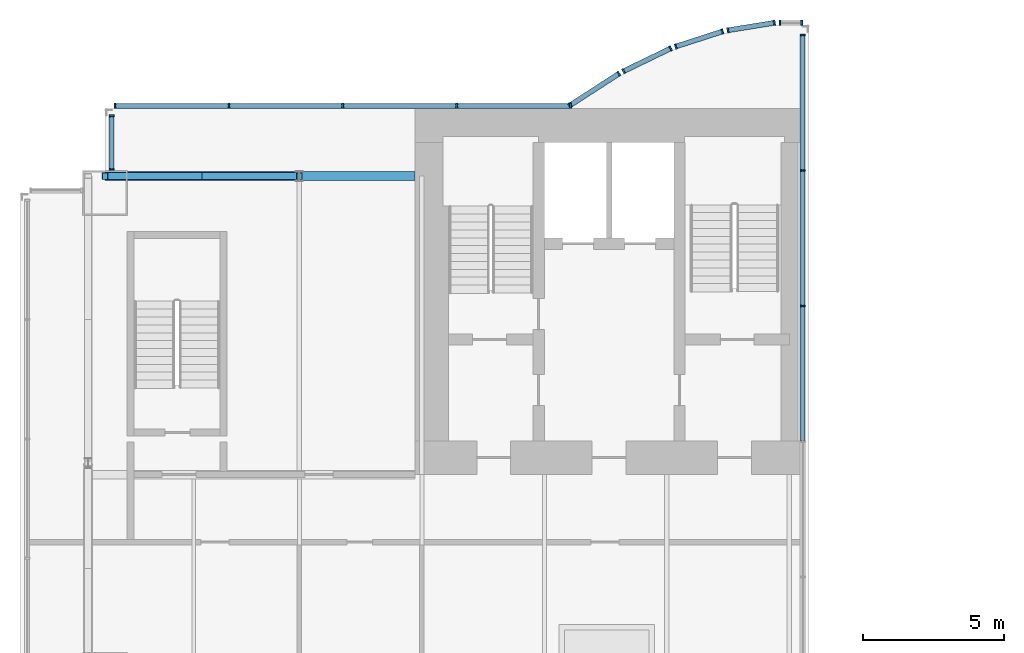
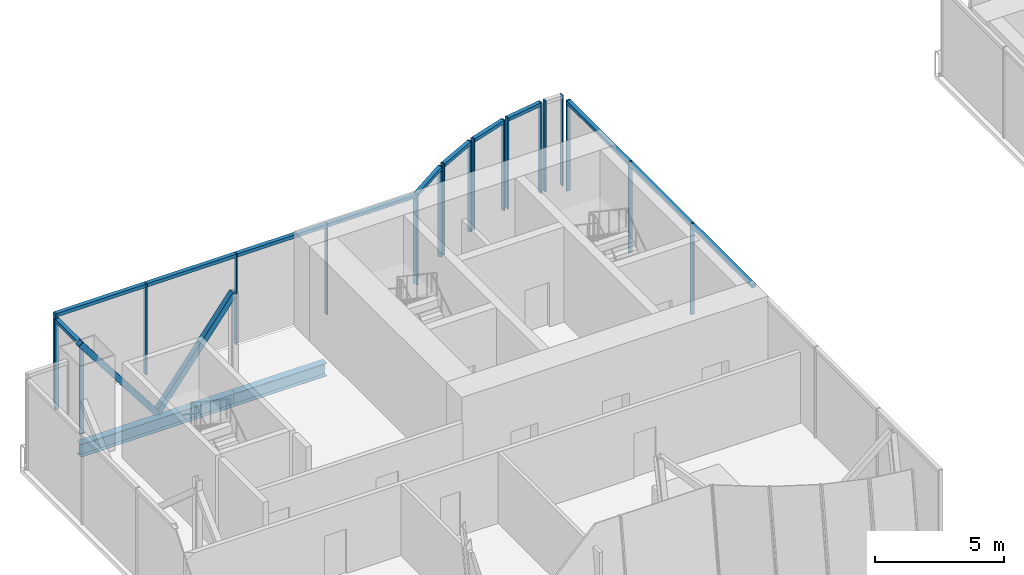
# One storey, part 4 of 14: 34 members, 2 beams, 8 elements without a shape of their own.
"""IFC4 building model written with IfcOpenShell, lengths in metres."""

from ifc_helpers import new_model, si_unit, direction, frame, origin, origin_2d, place, context, subcontext, project, spatial, rectangle, hollow_rectangle, i_section, extrude, material, material_profile, profile_set, type_object, element, aggregate, save


model = new_model("IFC4")

# Units and contexts
model_context = context("Model", 3, precision=1e-05, world=origin(), true_north=direction((0.0, 1.0)))
body_context = subcontext(model_context, "Body", "Model", "MODEL_VIEW")
ifc_project = project(units=[si_unit("LENGTHUNIT", "METRE"), si_unit("AREAUNIT", "SQUARE_METRE"), si_unit("VOLUMEUNIT", "CUBIC_METRE"), si_unit("PLANEANGLEUNIT", "RADIAN"), si_unit("MASSUNIT", "GRAM", prefix="KILO")], contexts=[model_context])

# Site, building, storey
site_placement = place(None, origin())
site = spatial("IfcSite", under=ifc_project, at=site_placement, CompositionType="ELEMENT")
building_placement = place(site_placement, origin())
building = spatial("IfcBuilding", under=site, at=building_placement, Name="Bicima Exchange Tower", CompositionType="ELEMENT")
storey_placement = place(building_placement, frame((0.0, 0.0, 352.39990234375)))
storey = spatial("IfcBuildingStorey", under=building, at=storey_placement, Name="L79", CompositionType="ELEMENT", Elevation=352.39990234375)

# Curtain wall, members
ifc_material_1 = material(Name="Anodised bronze aluminium", Category="aluminium")
curtain_wall_type = type_object("IfcCurtainWallType", Name="Crown glass wall", PredefinedType="NOTDEFINED", material=ifc_material_1)
curtain_wall_1_placement = place(storey_placement, origin())
curtain_wall_1 = element("IfcCurtainWall", 1, at=curtain_wall_1_placement, inside=storey, type_object=curtain_wall_type, Name="Crown glass wall L79 run 2", PredefinedType="NOTDEFINED")
ifc_material_profile_1 = material_profile(ifc_material_1, rectangle(XDim=0.179931640625, YDim=0.06005859375, at=origin_2d()))
ifc_profile_set_1 = profile_set([ifc_material_profile_1], Name="Anodised bronze aluminium")
member_type_1 = type_object("IfcMemberType", Name="Crown glass wall mullion 60 x 180", PredefinedType="MULLION", material=ifc_profile_set_1)
member_1_placement = place(storey_placement, frame((-8.22998046875, -7.0107421875, 0.0), z_axis=(0.0, 0.0, 1.0), x_axis=(-1.0, 0.0, 0.0)))
member_1 = element("IfcMember", 2, at=member_1_placement, type_object=member_type_1, Name="Crown glass wall mullion 5", PredefinedType="MULLION", context=body_context, shape_type="SweptSolid", body=[
    extrude(rectangle(XDim=0.179931640625, YDim=0.06005859375, at=origin_2d()), origin(), (0.0, 0.0, 1.0), 4.300048828125),
])
member_2_placement = place(storey_placement, frame((-8.22998046875, -2.198974609375, 0.0), z_axis=(0.0, 0.0, 1.0), x_axis=(-1.0, 0.0, 0.0)))
member_2 = element("IfcMember", 3, at=member_2_placement, type_object=member_type_1, Name="Crown glass wall mullion 6", PredefinedType="MULLION", context=body_context, shape_type="SweptSolid", body=[
    extrude(rectangle(XDim=0.179931640625, YDim=0.06005859375, at=origin_2d()), origin(), (0.0, 0.0, 1.0), 4.300048828125),
])
member_3_placement = place(storey_placement, frame((-8.22998046875, 2.613037109375, 0.0), z_axis=(0.0, 0.0, 1.0), x_axis=(-1.0, 0.0, 0.0)))
member_3 = element("IfcMember", 4, at=member_3_placement, type_object=member_type_1, Name="Crown glass wall mullion 7", PredefinedType="MULLION", context=body_context, shape_type="SweptSolid", body=[
    extrude(rectangle(XDim=0.179931640625, YDim=0.06005859375, at=origin_2d()), origin(), (0.0, 0.0, 1.0), 4.300048828125),
])

curtain_wall_2_placement = place(storey_placement, origin())
curtain_wall_2 = element("IfcCurtainWall", 5, at=curtain_wall_2_placement, inside=storey, type_object=curtain_wall_type, Name="Crown glass wall L79 run 3", PredefinedType="NOTDEFINED")
member_4_placement = place(storey_placement, frame((-8.260009765625, 3.052978515625, 0.0), z_axis=(0.0, 0.0, 1.0), x_axis=(0.0, -1.0, 0.0)))
member_4 = element("IfcMember", 6, at=member_4_placement, type_object=member_type_1, Name="Crown glass wall mullion 1", PredefinedType="MULLION", context=body_context, shape_type="SweptSolid", body=[
    extrude(rectangle(XDim=0.179931640625, YDim=0.06005859375, at=origin_2d()), origin(), (0.0, 0.0, 1.0), 4.300048828125),
])
member_5_placement = place(storey_placement, frame((-9.0283203125, 3.052978515625, 0.0), z_axis=(0.0, 0.0, 1.0), x_axis=(0.0, -1.0, 0.0)))
member_5 = element("IfcMember", 7, at=member_5_placement, type_object=member_type_1, Name="Crown glass wall mullion 2", PredefinedType="MULLION", context=body_context, shape_type="SweptSolid", body=[
    extrude(rectangle(XDim=0.179931640625, YDim=0.06005859375, at=origin_2d()), origin(), (0.0, 0.0, 1.0), 4.300048828125),
])
aggregate(curtain_wall_2, [member_4, member_5])

curtain_wall_3_placement = place(storey_placement, origin())
curtain_wall_3 = element("IfcCurtainWall", 8, at=curtain_wall_3_placement, inside=storey, type_object=curtain_wall_type, Name="Crown glass wall L79 run 4", PredefinedType="NOTDEFINED")
member_6_placement = place(storey_placement, frame((-9.22900390625, 3.044189453125, 0.0), z_axis=(0.0, 0.0, 1.0), x_axis=(0.159550386184, -0.987189786347, 0.0)))
member_6 = element("IfcMember", 9, at=member_6_placement, type_object=member_type_1, Name="Crown glass wall mullion 1", PredefinedType="MULLION", context=body_context, shape_type="SweptSolid", body=[
    extrude(rectangle(XDim=0.179931640625, YDim=0.06005859375, at=origin_2d()), origin(), (0.0, 0.0, 1.0), 4.300048828125),
])
member_7_placement = place(storey_placement, frame((-10.878662109375, 2.777587890625, 0.0), z_axis=(0.0, 0.0, 1.0), x_axis=(0.159550386184, -0.987189786347, 0.0)))
member_7 = element("IfcMember", 10, at=member_7_placement, type_object=member_type_1, Name="Crown glass wall mullion 2", PredefinedType="MULLION", context=body_context, shape_type="SweptSolid", body=[
    extrude(rectangle(XDim=0.179931640625, YDim=0.06005859375, at=origin_2d()), origin(), (0.0, 0.0, 1.0), 4.300048828125),
])

curtain_wall_4_placement = place(storey_placement, origin())
curtain_wall_4 = element("IfcCurtainWall", 11, at=curtain_wall_4_placement, inside=storey, type_object=curtain_wall_type, Name="Crown glass wall L79 run 5", PredefinedType="NOTDEFINED")
member_8_placement = place(storey_placement, frame((-11.072998046875, 2.73779296875, 0.0), z_axis=(0.0, 0.0, 1.0), x_axis=(0.307572519808, -0.951524642381, 0.0)))
member_8 = element("IfcMember", 12, at=member_8_placement, type_object=member_type_1, Name="Crown glass wall mullion 1", PredefinedType="MULLION", context=body_context, shape_type="SweptSolid", body=[
    extrude(rectangle(XDim=0.179931640625, YDim=0.06005859375, at=origin_2d()), origin(), (0.0, 0.0, 1.0), 4.300048828125),
])
member_9_placement = place(storey_placement, frame((-12.731689453125, 2.20166015625, 0.0), z_axis=(0.0, 0.0, 1.0), x_axis=(0.307572519808, -0.951524642381, 0.0)))
member_9 = element("IfcMember", 13, at=member_9_placement, type_object=member_type_1, Name="Crown glass wall mullion 2", PredefinedType="MULLION", context=body_context, shape_type="SweptSolid", body=[
    extrude(rectangle(XDim=0.179931640625, YDim=0.06005859375, at=origin_2d()), origin(), (0.0, 0.0, 1.0), 4.300048828125),
])

curtain_wall_5_placement = place(storey_placement, origin())
curtain_wall_5 = element("IfcCurtainWall", 14, at=curtain_wall_5_placement, inside=storey, type_object=curtain_wall_type, Name="Crown glass wall L79 run 6", PredefinedType="NOTDEFINED")
member_10_placement = place(storey_placement, frame((-12.913818359375, 2.135009765625, 0.0), z_axis=(0.0, 0.0, 1.0), x_axis=(0.436264762204, -0.899818346812, 0.0)))
member_10 = element("IfcMember", 15, at=member_10_placement, type_object=member_type_1, Name="Crown glass wall mullion 1", PredefinedType="MULLION", context=body_context, shape_type="SweptSolid", body=[
    extrude(rectangle(XDim=0.179931640625, YDim=0.06005859375, at=origin_2d()), origin(), (0.0, 0.0, 1.0), 4.300048828125),
])
member_11_placement = place(storey_placement, frame((-14.585205078125, 1.32470703125, 0.0), z_axis=(0.0, 0.0, 1.0), x_axis=(0.436264762204, -0.899818346812, 0.0)))
member_11 = element("IfcMember", 16, at=member_11_placement, type_object=member_type_1, Name="Crown glass wall mullion 2", PredefinedType="MULLION", context=body_context, shape_type="SweptSolid", body=[
    extrude(rectangle(XDim=0.179931640625, YDim=0.06005859375, at=origin_2d()), origin(), (0.0, 0.0, 1.0), 4.300048828125),
])

curtain_wall_6_placement = place(storey_placement, origin())
curtain_wall_6 = element("IfcCurtainWall", 17, at=curtain_wall_6_placement, inside=storey, type_object=curtain_wall_type, Name="Crown glass wall L79 run 7", PredefinedType="NOTDEFINED")
member_12_placement = place(storey_placement, frame((-14.752685546875, 1.23681640625, 0.0), z_axis=(0.0, 0.0, 1.0), x_axis=(0.542910648791, -0.839790466384, 0.0)))
member_12 = element("IfcMember", 18, at=member_12_placement, type_object=member_type_1, Name="Crown glass wall mullion 1", PredefinedType="MULLION", context=body_context, shape_type="SweptSolid", body=[
    extrude(rectangle(XDim=0.179931640625, YDim=0.06005859375, at=origin_2d()), origin(), (0.0, 0.0, 1.0), 4.300048828125),
])
member_13_placement = place(storey_placement, frame((-16.505126953125, 0.10400390625, 0.0), z_axis=(0.0, 0.0, 1.0), x_axis=(0.542910648791, -0.839790466384, 0.0)))
member_13 = element("IfcMember", 19, at=member_13_placement, type_object=member_type_1, Name="Crown glass wall mullion 2", PredefinedType="MULLION", context=body_context, shape_type="SweptSolid", body=[
    extrude(rectangle(XDim=0.179931640625, YDim=0.06005859375, at=origin_2d()), origin(), (0.0, 0.0, 1.0), 4.300048828125),
])

curtain_wall_7_placement = place(storey_placement, origin())
curtain_wall_7 = element("IfcCurtainWall", 20, at=curtain_wall_7_placement, inside=storey, type_object=curtain_wall_type, Name="Crown glass wall L79 run 8", PredefinedType="NOTDEFINED")
member_14_placement = place(storey_placement, frame((-16.462158203125, 0.090087890625, 0.0), z_axis=(0.0, 0.0, 1.0), x_axis=(0.0, -1.0, 0.0)))
member_14 = element("IfcMember", 21, at=member_14_placement, type_object=member_type_1, Name="Crown glass wall mullion 1", PredefinedType="MULLION", context=body_context, shape_type="SweptSolid", body=[
    extrude(rectangle(XDim=0.179931640625, YDim=0.06005859375, at=origin_2d()), origin(), (0.0, 0.0, 1.0), 4.300048828125),
])
member_15_placement = place(storey_placement, frame((-20.509033203125, 0.090087890625, 0.0), z_axis=(0.0, 0.0, 1.0), x_axis=(0.0, -1.0, 0.0)))
member_15 = element("IfcMember", 22, at=member_15_placement, type_object=member_type_1, Name="Crown glass wall mullion 2", PredefinedType="MULLION", context=body_context, shape_type="SweptSolid", body=[
    extrude(rectangle(XDim=0.179931640625, YDim=0.06005859375, at=origin_2d()), origin(), (0.0, 0.0, 1.0), 4.300048828125),
])
member_16_placement = place(storey_placement, frame((-24.55615234375, 0.090087890625, 0.0), z_axis=(0.0, 0.0, 1.0), x_axis=(0.0, -1.0, 0.0)))
member_16 = element("IfcMember", 23, at=member_16_placement, type_object=member_type_1, Name="Crown glass wall mullion 3", PredefinedType="MULLION", context=body_context, shape_type="SweptSolid", body=[
    extrude(rectangle(XDim=0.179931640625, YDim=0.06005859375, at=origin_2d()), origin(), (0.0, 0.0, 1.0), 4.300048828125),
])
member_17_placement = place(storey_placement, frame((-28.60302734375, 0.090087890625, 0.0), z_axis=(0.0, 0.0, 1.0), x_axis=(0.0, -1.0, 0.0)))
member_17 = element("IfcMember", 24, at=member_17_placement, type_object=member_type_1, Name="Crown glass wall mullion 4", PredefinedType="MULLION", context=body_context, shape_type="SweptSolid", body=[
    extrude(rectangle(XDim=0.179931640625, YDim=0.06005859375, at=origin_2d()), origin(), (0.0, 0.0, 1.0), 4.300048828125),
])
member_18_placement = place(storey_placement, frame((-32.64990234375, 0.090087890625, 0.0), z_axis=(0.0, 0.0, 1.0), x_axis=(0.0, -1.0, 0.0)))
member_18 = element("IfcMember", 25, at=member_18_placement, type_object=member_type_1, Name="Crown glass wall mullion 5", PredefinedType="MULLION", context=body_context, shape_type="SweptSolid", body=[
    extrude(rectangle(XDim=0.179931640625, YDim=0.06005859375, at=origin_2d()), origin(), (0.0, 0.0, 1.0), 4.300048828125),
])

curtain_wall_8_placement = place(storey_placement, origin())
curtain_wall_8 = element("IfcCurtainWall", 26, at=curtain_wall_8_placement, inside=storey, type_object=curtain_wall_type, Name="Crown glass wall L79 run 9", PredefinedType="NOTDEFINED")
member_19_placement = place(storey_placement, frame((-32.77001953125, -0.260009765625, 0.0), z_axis=(0.0, 0.0, 1.0), x_axis=(1.0, 0.0, 0.0)))
member_19 = element("IfcMember", 27, at=member_19_placement, type_object=member_type_1, Name="Crown glass wall mullion 1", PredefinedType="MULLION", context=body_context, shape_type="SweptSolid", body=[
    extrude(rectangle(XDim=0.179931640625, YDim=0.06005859375, at=origin_2d()), origin(), (0.0, 0.0, 1.0), 4.300048828125),
])
member_20_placement = place(storey_placement, frame((-32.77001953125, -2.169921875, 0.0), z_axis=(0.0, 0.0, 1.0), x_axis=(1.0, 0.0, 0.0)))
member_20 = element("IfcMember", 28, at=member_20_placement, type_object=member_type_1, Name="Crown glass wall mullion 2", PredefinedType="MULLION", context=body_context, shape_type="SweptSolid", body=[
    extrude(rectangle(XDim=0.179931640625, YDim=0.06005859375, at=origin_2d()), origin(), (0.0, 0.0, 1.0), 4.300048828125),
])

# Member
ifc_material_profile_2 = material_profile(ifc_material_1, rectangle(XDim=0.179931640625, YDim=0.159912109375, at=origin_2d()))
ifc_profile_set_2 = profile_set([ifc_material_profile_2], Name="Anodised bronze aluminium")
member_type_2 = type_object("IfcMemberType", Name="Crown glass wall transom 160 x 180", PredefinedType="USERDEFINED", material=ifc_profile_set_2)
member_21_placement = place(storey_placement, frame((-8.22998046875, -11.792724609375, 4.22021484375), z_axis=(0.0, 1.0, 0.0), x_axis=(-1.0, 0.0, 0.0)))
member_21 = element("IfcMember", 29, at=member_21_placement, type_object=member_type_2, Name="Crown glass wall transom 4.1", ObjectType="TRANSOM", PredefinedType="USERDEFINED", context=body_context, shape_type="SweptSolid", body=[
    extrude(rectangle(XDim=0.179931640625, YDim=0.159912109375, at=origin_2d()), origin(), (0.0, 0.0, 1.0), 4.751953125),
])

member_22_placement = place(storey_placement, frame((-8.22998046875, -6.980712890625, 4.22021484375), z_axis=(0.0, 1.0, 0.0), x_axis=(-1.0, 0.0, 0.0)))
member_22 = element("IfcMember", 30, at=member_22_placement, type_object=member_type_2, Name="Crown glass wall transom 5.1", ObjectType="TRANSOM", PredefinedType="USERDEFINED", context=body_context, shape_type="SweptSolid", body=[
    extrude(rectangle(XDim=0.179931640625, YDim=0.159912109375, at=origin_2d()), origin(), (0.0, 0.0, 1.0), 4.751708984375),
])

member_23_placement = place(storey_placement, frame((-8.22998046875, -2.1689453125, 4.22021484375), z_axis=(0.0, 1.0, 0.0), x_axis=(-1.0, 0.0, 0.0)))
member_23 = element("IfcMember", 31, at=member_23_placement, type_object=member_type_2, Name="Crown glass wall transom 6.1", ObjectType="TRANSOM", PredefinedType="USERDEFINED", context=body_context, shape_type="SweptSolid", body=[
    extrude(rectangle(XDim=0.179931640625, YDim=0.159912109375, at=origin_2d()), origin(), (0.0, 0.0, 1.0), 4.751953125),
])

aggregate(curtain_wall_1, [member_1, member_2, member_3, member_21, member_22, member_23])

member_24_placement = place(storey_placement, frame((-9.258544921875, 3.039306640625, 4.22021484375), z_axis=(-0.987184958941, -0.159580252036, 0.0), x_axis=(0.159580252036, -0.987184958941, 0.0)))
member_24 = element("IfcMember", 32, at=member_24_placement, type_object=member_type_2, Name="Crown glass wall transom 1.1", ObjectType="TRANSOM", PredefinedType="USERDEFINED", context=body_context, shape_type="SweptSolid", body=[
    extrude(rectangle(XDim=0.179931640625, YDim=0.159912109375, at=origin_2d()), origin(), (0.0, 0.0, 1.0), 1.611083984375),
])

aggregate(curtain_wall_3, [member_6, member_7, member_24])

member_25_placement = place(storey_placement, frame((-11.1015625, 2.728515625, 4.22021484375), z_axis=(-0.951488244605, -0.307685099376, 0.0), x_axis=(0.307685099376, -0.951488244605, 0.0)))
member_25 = element("IfcMember", 33, at=member_25_placement, type_object=member_type_2, Name="Crown glass wall transom 1.1", ObjectType="TRANSOM", PredefinedType="USERDEFINED", context=body_context, shape_type="SweptSolid", body=[
    extrude(rectangle(XDim=0.179931640625, YDim=0.159912109375, at=origin_2d()), origin(), (0.0, 0.0, 1.0), 1.682861328125),
])

aggregate(curtain_wall_4, [member_8, member_9, member_25])

member_26_placement = place(storey_placement, frame((-12.94091796875, 2.121826171875, 4.22021484375), z_axis=(-0.899873884154, -0.436150195022, 0.0), x_axis=(0.436150195022, -0.899873884154, 0.0)))
member_26 = element("IfcMember", 34, at=member_26_placement, type_object=member_type_2, Name="Crown glass wall transom 1.1", ObjectType="TRANSOM", PredefinedType="USERDEFINED", context=body_context, shape_type="SweptSolid", body=[
    extrude(rectangle(XDim=0.179931640625, YDim=0.159912109375, at=origin_2d()), origin(), (0.0, 0.0, 1.0), 1.79736328125),
])

aggregate(curtain_wall_5, [member_10, member_11, member_26])

member_27_placement = place(storey_placement, frame((-14.77783203125, 1.220703125, 4.22021484375), z_axis=(-0.839751073679, -0.54297157776, 0.0), x_axis=(0.54297157776, -0.839751073679, 0.0)))
member_27 = element("IfcMember", 35, at=member_27_placement, type_object=member_type_2, Name="Crown glass wall transom 1.1", ObjectType="TRANSOM", PredefinedType="USERDEFINED", context=body_context, shape_type="SweptSolid", body=[
    extrude(rectangle(XDim=0.179931640625, YDim=0.159912109375, at=origin_2d()), origin(), (0.0, 0.0, 1.0), 2.02685546875),
])

aggregate(curtain_wall_6, [member_12, member_13, member_27])

member_28_placement = place(storey_placement, frame((-16.4921875, 0.090087890625, 4.22021484375), z_axis=(-1.0, 0.0, 0.0), x_axis=(0.0, -1.0, 0.0)))
member_28 = element("IfcMember", 36, at=member_28_placement, type_object=member_type_2, Name="Crown glass wall transom 1.1", ObjectType="TRANSOM", PredefinedType="USERDEFINED", context=body_context, shape_type="SweptSolid", body=[
    extrude(rectangle(XDim=0.179931640625, YDim=0.159912109375, at=origin_2d()), origin(), (0.0, 0.0, 1.0), 3.98681640625),
])

member_29_placement = place(storey_placement, frame((-20.5390625, 0.090087890625, 4.22021484375), z_axis=(-1.0, 0.0, 0.0), x_axis=(0.0, -1.0, 0.0)))
member_29 = element("IfcMember", 37, at=member_29_placement, type_object=member_type_2, Name="Crown glass wall transom 2.1", ObjectType="TRANSOM", PredefinedType="USERDEFINED", context=body_context, shape_type="SweptSolid", body=[
    extrude(rectangle(XDim=0.179931640625, YDim=0.159912109375, at=origin_2d()), origin(), (0.0, 0.0, 1.0), 3.987060546875),
])

member_30_placement = place(storey_placement, frame((-24.586181640625, 0.090087890625, 4.22021484375), z_axis=(-1.0, 0.0, 0.0), x_axis=(0.0, -1.0, 0.0)))
member_30 = element("IfcMember", 38, at=member_30_placement, type_object=member_type_2, Name="Crown glass wall transom 3.1", ObjectType="TRANSOM", PredefinedType="USERDEFINED", context=body_context, shape_type="SweptSolid", body=[
    extrude(rectangle(XDim=0.179931640625, YDim=0.159912109375, at=origin_2d()), origin(), (0.0, 0.0, 1.0), 3.98681640625),
])

member_31_placement = place(storey_placement, frame((-28.633056640625, 0.090087890625, 4.22021484375), z_axis=(-1.0, 0.0, 0.0), x_axis=(0.0, -1.0, 0.0)))
member_31 = element("IfcMember", 39, at=member_31_placement, type_object=member_type_2, Name="Crown glass wall transom 4.1", ObjectType="TRANSOM", PredefinedType="USERDEFINED", context=body_context, shape_type="SweptSolid", body=[
    extrude(rectangle(XDim=0.179931640625, YDim=0.159912109375, at=origin_2d()), origin(), (0.0, 0.0, 1.0), 3.987060546875),
])

aggregate(curtain_wall_7, [member_14, member_15, member_16, member_17, member_18, member_28, member_29, member_30, member_31])

member_32_placement = place(storey_placement, frame((-32.77001953125, -0.2900390625, 4.22021484375), z_axis=(0.0, -1.0, 0.0), x_axis=(1.0, 0.0, 0.0)))
member_32 = element("IfcMember", 40, at=member_32_placement, type_object=member_type_2, Name="Crown glass wall transom 1.1", ObjectType="TRANSOM", PredefinedType="USERDEFINED", context=body_context, shape_type="SweptSolid", body=[
    extrude(rectangle(XDim=0.179931640625, YDim=0.159912109375, at=origin_2d()), origin(), (0.0, 0.0, 1.0), 1.849853515625),
])

aggregate(curtain_wall_8, [member_19, member_20, member_32])

# Members
ifc_material_2 = material(Name="Steel ASTM A572 Gr 50", Category="steel")
ifc_material_profile_3 = material_profile(ifc_material_2, hollow_rectangle(XDim=0.25390625, YDim=0.25390625, WallThickness=0.01171875, at=origin_2d()))
ifc_profile_set_3 = profile_set([ifc_material_profile_3], Name="Steel ASTM A572 Gr 50")
member_type_3 = type_object("IfcMemberType", Name="Mega brace HSS10x10x1/2", PredefinedType="BRACE", material=ifc_profile_set_3)
for number, where, z_axis, x_axis, name in (
    (41, (-29.550048828125, -2.39990234375, 0.0), (0.608426120198, 0.0, 0.793610519248), (0.0, 1.0, 0.0), "Mega brace rear"),
    (42, (-29.550048828125, -2.39990234375, 0.0), (-0.608426120198, 0.0, 0.793610519248), (0.0, -1.0, 0.0), "Mega brace rear"),
):
    element("IfcMember", number, at=place(storey_placement, frame(where, z_axis=z_axis, x_axis=x_axis)), inside=storey, type_object=member_type_3, Name=name, PredefinedType="BRACE", context=body_context, shape_type="SweptSolid", body=[
        extrude(hollow_rectangle(XDim=0.25390625, YDim=0.25390625, WallThickness=0.01171875, at=origin_2d()), origin(), (0.0, 0.0, 1.0), 5.670166015625),
    ])

# Beams
ifc_material_3 = material(Name="Steel ASTM A992 Gr 50", Category="steel")
ifc_material_profile_4 = material_profile(ifc_material_3, i_section(OverallWidth=0.3251953125, OverallDepth=0.612060546875, WebThickness=0.0126953125, FlangeThickness=0.01904296875, at=origin_2d()))
ifc_profile_set_4 = profile_set([ifc_material_profile_4], Name="Steel ASTM A992 Gr 50")
beam_type = type_object("IfcBeamType", Name="Rear girder W24x104", PredefinedType="BEAM", material=ifc_profile_set_4)
beam_1_placement = place(storey_placement, frame((-22.0, -2.39990234375, -0.506103515625), z_axis=(-1.0, 0.0, 0.0), x_axis=(0.0, -1.0, 0.0)))
element("IfcBeam", 43, at=beam_1_placement, inside=storey, type_object=beam_type, Name="Rear girder", PredefinedType="BEAM", context=body_context, shape_type="SweptSolid", body=[
    extrude(i_section(OverallWidth=0.3251953125, OverallDepth=0.612060546875, WebThickness=0.0126953125, FlangeThickness=0.01904296875, at=origin_2d()), origin(), (0.0, 0.0, 1.0), 4.10009765625),
])
beam_2_placement = place(storey_placement, frame((-26.10009765625, -2.39990234375, -0.506103515625), z_axis=(-1.0, 0.0, 0.0), x_axis=(0.0, -1.0, 0.0)))
element("IfcBeam", 44, at=beam_2_placement, inside=storey, type_object=beam_type, Name="Rear girder", PredefinedType="BEAM", context=body_context, shape_type="SweptSolid", body=[
    extrude(i_section(OverallWidth=0.3251953125, OverallDepth=0.612060546875, WebThickness=0.0126953125, FlangeThickness=0.01904296875, at=origin_2d()), origin(), (0.0, 0.0, 1.0), 6.89990234375),
])

save(model, "model.ifc")
